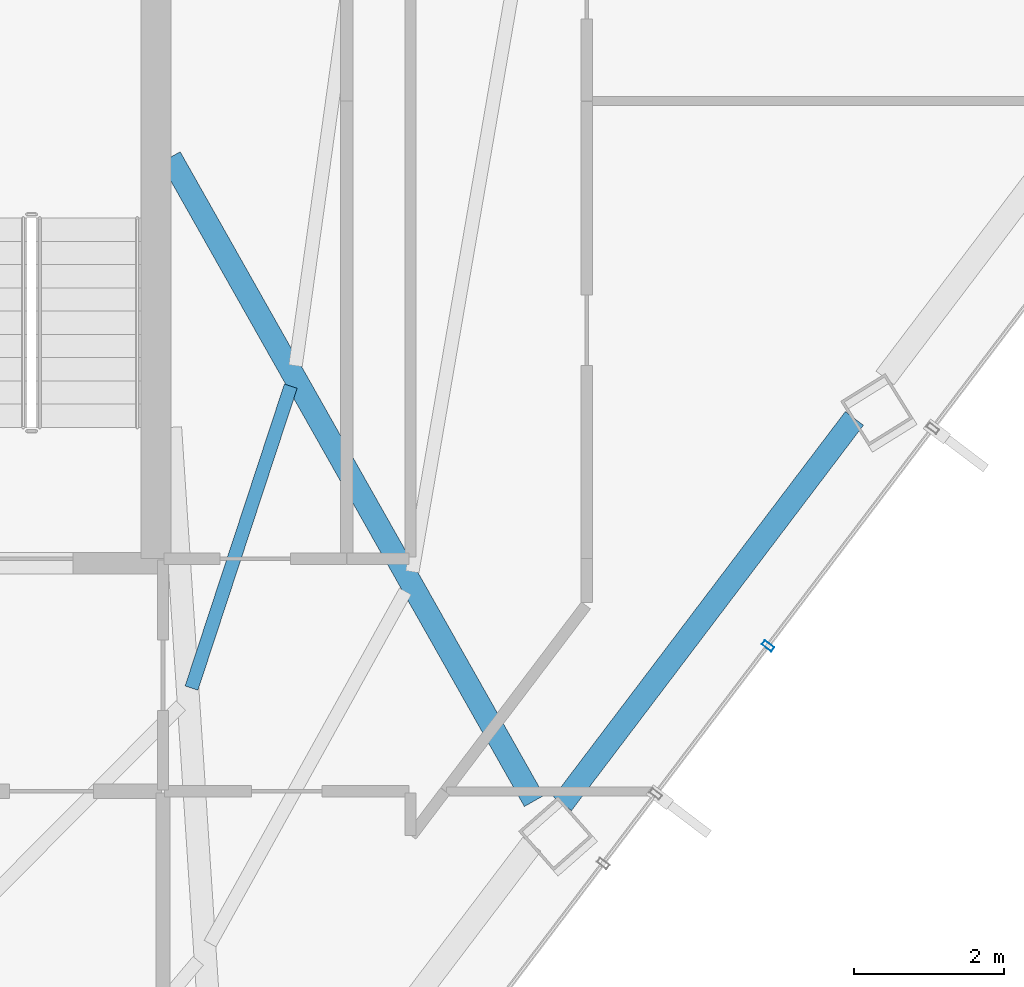
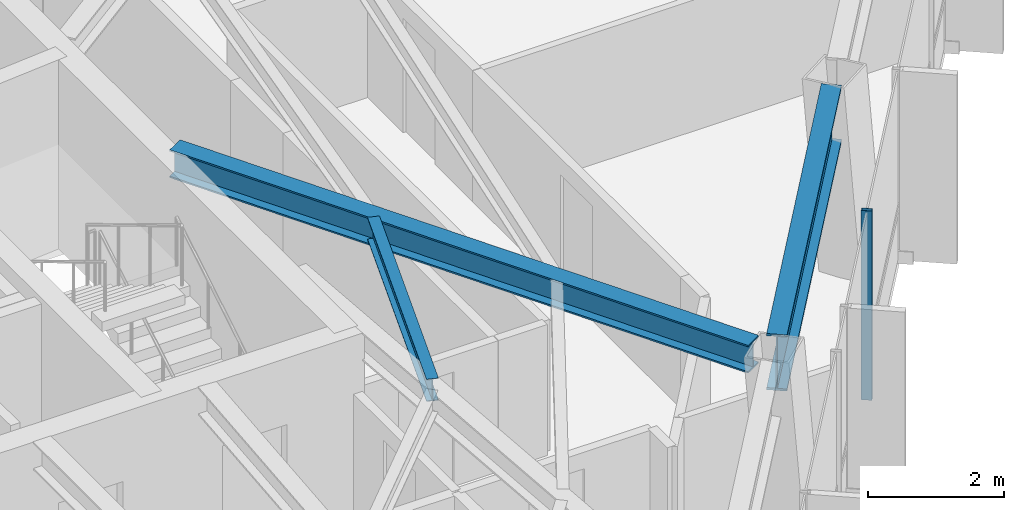
# One storey, part 19 of 28: 3 beams, 1 member, 1 element without a shape of its own.
"""IFC4 building model written with IfcOpenShell, lengths in metres."""

from ifc_helpers import new_model, si_unit, direction, frame, origin, origin_2d, place, context, subcontext, project, spatial, hollow_rectangle, i_section, extrude, material, layer, layer_set, material_profile, profile_set, type_object, element, aggregate, save


model = new_model("IFC4")

# Units and contexts
model_context = context("Model", 3, precision=1e-05, world=origin(), true_north=direction((0.0, 1.0)))
body_context = subcontext(model_context, "Body", "Model", "MODEL_VIEW")
ifc_project = project(units=[si_unit("LENGTHUNIT", "METRE"), si_unit("AREAUNIT", "SQUARE_METRE"), si_unit("VOLUMEUNIT", "CUBIC_METRE"), si_unit("PLANEANGLEUNIT", "RADIAN"), si_unit("MASSUNIT", "GRAM", prefix="KILO")], contexts=[model_context])

# Site, building, storey
site_placement = place(None, origin())
site = spatial("IfcSite", under=ifc_project, at=site_placement, CompositionType="ELEMENT")
building_placement = place(site_placement, origin())
building = spatial("IfcBuilding", under=site, at=building_placement, Name="Zarrinselat Tower", CompositionType="ELEMENT")
storey_placement = place(building_placement, frame((0.0, 0.0, 190.739990234375)))
storey = spatial("IfcBuildingStorey", under=building, at=storey_placement, Name="L47", CompositionType="ELEMENT", Elevation=190.739990234375)

# Beams
ifc_material_1 = material(Name="Steel S355J2", Category="steel")
ifc_material_profile_1 = material_profile(ifc_material_1, i_section(OverallWidth=0.300048828125, OverallDepth=0.5, WebThickness=0.014404296875, FlangeThickness=0.028076171875, at=origin_2d()), Name="HEB 500")
ifc_profile_set_1 = profile_set([ifc_material_profile_1], Name="Steel S355J2")
beam_type_1 = type_object("IfcBeamType", Name="BM-HEB500", PredefinedType="BEAM", material=ifc_profile_set_1)
beam_1_placement = place(storey_placement, frame((48.449951171875, 38.60009765625, 3.139892578125), z_axis=(0.492008271177, -0.870590524353, 0.0), x_axis=(0.870590524353, 0.492008271177, 0.0)))
element("IfcBeam", 1, at=beam_1_placement, inside=storey, type_object=beam_type_1, Name="L47 Radial Primary Girder RG13", PredefinedType="BEAM", context=body_context, shape_type="SweptSolid", body=[
    extrude(i_section(OverallWidth=0.300048828125, OverallDepth=0.5, WebThickness=0.014404296875, FlangeThickness=0.028076171875, at=origin_2d()), origin(), (0.0, 0.0, 1.0), 9.853759765625),
])
ifc_material_2 = material(Name="Steel S460M", Category="steel")
ifc_material_profile_2 = material_profile(ifc_material_2, i_section(OverallWidth=0.302001953125, OverallDepth=1.008056640625, WebThickness=0.02099609375, FlangeThickness=0.0400390625, at=origin_2d()), Name="HEM 1000")
ifc_profile_set_2 = profile_set([ifc_material_profile_2], Name="Steel S460M")
beam_type_2 = type_object("IfcBeamType", Name="BM-HEM1000", PredefinedType="BEAM", material=ifc_profile_set_2)
beam_2_placement = place(storey_placement, frame((53.67529296875, 29.984619140625, 2.885986328125), z_axis=(0.603873007979, 0.797080541874, 0.0), x_axis=(-0.797080541874, 0.603873007979, 0.0)))
element("IfcBeam", 2, at=beam_2_placement, inside=storey, type_object=beam_type_2, Name="L47 Perimeter Spandrel Girder SP13", PredefinedType="BEAM", context=body_context, shape_type="SweptSolid", body=[
    extrude(i_section(OverallWidth=0.302001953125, OverallDepth=1.008056640625, WebThickness=0.02099609375, FlangeThickness=0.0400390625, at=origin_2d()), origin(), (0.0, 0.0, 1.0), 6.443115234375),
])
ifc_material_3 = material(Name="Steel S355J2", Category="steel")
ifc_material_profile_3 = material_profile(ifc_material_3, i_section(OverallWidth=0.179931640625, OverallDepth=0.39990234375, WebThickness=0.008544921875, FlangeThickness=0.013427734375, at=origin_2d()), Name="IPE 400")
ifc_profile_set_3 = profile_set([ifc_material_profile_3], Name="Steel S355J2")
beam_type_3 = type_object("IfcBeamType", Name="BM-IPE400", PredefinedType="JOIST", material=ifc_profile_set_3)
beam_3_placement = place(storey_placement, frame((48.7314453125, 31.526123046875, 3.18994140625), z_axis=(0.312369523136, 0.949960673405, 0.0), x_axis=(-0.949960673405, 0.312369523136, 0.0)))
element("IfcBeam", 3, at=beam_3_placement, inside=storey, type_object=beam_type_3, Name="L47 Composite Floor Joist 4-2", PredefinedType="JOIST", context=body_context, shape_type="SweptSolid", body=[
    extrude(i_section(OverallWidth=0.179931640625, OverallDepth=0.39990234375, WebThickness=0.008544921875, FlangeThickness=0.013427734375, at=origin_2d()), origin(), (0.0, 0.0, 1.0), 4.236083984375),
])

# Curtain wall, member
ifc_material_4 = material(Name="Extruded Aluminium Alloy EN AW-6063 T6", Category="aluminium")
ifc_layer = layer(ifc_material_4, 0.175048828125)
ifc_layer_set = layer_set([ifc_layer], Name="Extruded Aluminium Alloy EN AW-6063 T6")
curtain_wall_type = type_object("IfcCurtainWallType", Name="CWS-HTL", PredefinedType="NOTDEFINED", material=ifc_layer_set)
curtain_wall_placement = place(storey_placement, origin())
curtain_wall = element("IfcCurtainWall", 4, at=curtain_wall_placement, inside=storey, type_object=curtain_wall_type, Name="L47 Unitised Curtain Wall CW-L47-E05", PredefinedType="NOTDEFINED")
ifc_material_5 = material(Name="Extruded Aluminium Alloy EN AW-6063 T6", Category="aluminium")
ifc_material_profile_4 = material_profile(ifc_material_5, hollow_rectangle(XDim=0.070068359375, YDim=0.159912109375, WallThickness=0.00390625, at=origin_2d()), Name="RHS 160x70x4")
ifc_profile_set_4 = profile_set([ifc_material_profile_4], Name="Extruded Aluminium Alloy EN AW-6063 T6")
member_type = type_object("IfcMemberType", Name="MEM-CW-MUL2", PredefinedType="MULLION", material=ifc_profile_set_4)
member_placement = place(storey_placement, frame((56.414794921875, 32.08837890625, 0.0), z_axis=(0.0, 0.0, 1.0), x_axis=(0.603856629551, 0.797092950005, 0.0)))
member = element("IfcMember", 5, at=member_placement, type_object=member_type, Name="CW-L47-E05 Mullion 6", PredefinedType="MULLION", context=body_context, shape_type="SweptSolid", body=[
    extrude(hollow_rectangle(XDim=0.070068359375, YDim=0.159912109375, WallThickness=0.00390625, at=origin_2d()), origin(), (0.0, 0.0, 1.0), 3.389892578125),
])
aggregate(curtain_wall, [member])

save(model, "model.ifc")
